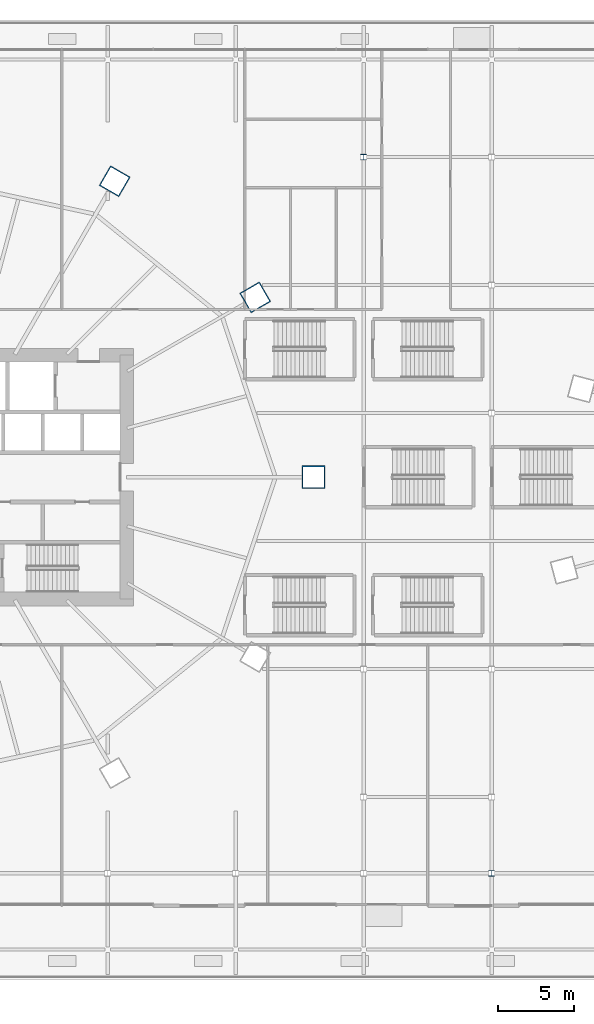
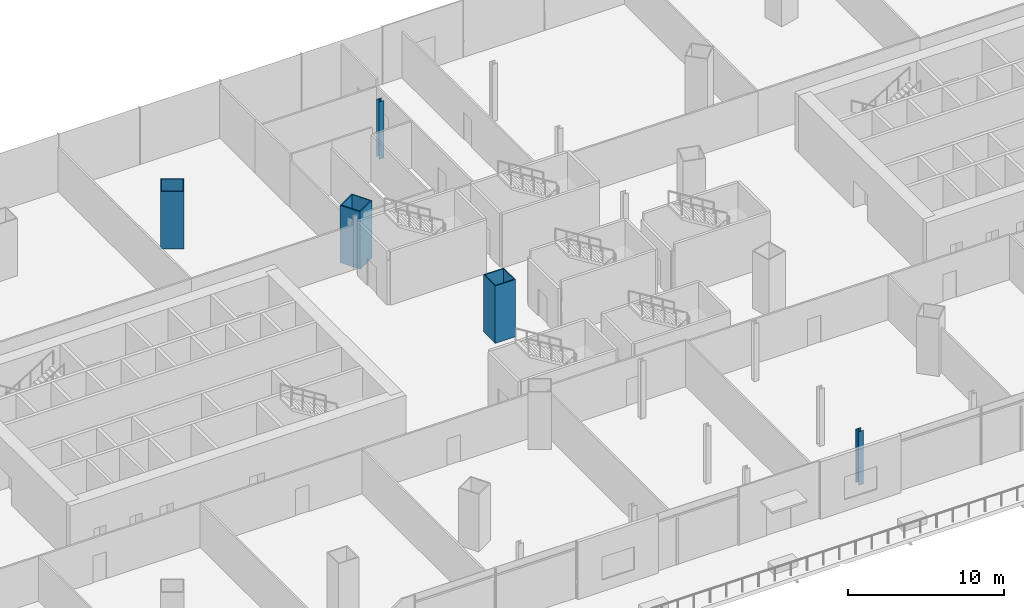
# One storey, part 4 of 52: 5 columns.
"""IFC4 building model written with IfcOpenShell, lengths in metres."""

from ifc_helpers import new_model, si_unit, direction, frame, origin, origin_2d, place, context, subcontext, project, spatial, hollow_rectangle, i_section, extrude, material, material_profile, profile_set, type_object, element, save


model = new_model("IFC4")

# Units and contexts
model_context = context("Model", 3, precision=1e-05, world=origin(), true_north=direction((0.0, 1.0)))
body_context = subcontext(model_context, "Body", "Model", "MODEL_VIEW")
ifc_project = project(units=[si_unit("LENGTHUNIT", "METRE"), si_unit("AREAUNIT", "SQUARE_METRE"), si_unit("VOLUMEUNIT", "CUBIC_METRE"), si_unit("PLANEANGLEUNIT", "RADIAN"), si_unit("MASSUNIT", "GRAM", prefix="KILO")], contexts=[model_context])

# Site, building, storey
site_placement = place(None, origin())
site = spatial("IfcSite", under=ifc_project, at=site_placement, CompositionType="ELEMENT")
building_placement = place(site_placement, origin())
building = spatial("IfcBuilding", under=site, at=building_placement, Name="Rimbun Link Towers", CompositionType="ELEMENT")
storey_placement = place(building_placement, frame((0.0, 0.0, 21.0)))
storey = spatial("IfcBuildingStorey", under=building, at=storey_placement, Name="L04", CompositionType="ELEMENT", Elevation=21.0)

# Columns
ifc_material_1 = material(Name="Steel S460N", Category="steel")
ifc_material_profile_1 = material_profile(ifc_material_1, hollow_rectangle(XDim=1.5, YDim=1.5, WallThickness=0.070068359375, at=origin_2d()), Name="BOX 1500x1500x70")
ifc_profile_set_1 = profile_set([ifc_material_profile_1], Name="Steel S460N")
column_type_1 = type_object("IfcColumnType", Name="BOX 1500x1500x70", PredefinedType="COLUMN", material=ifc_profile_set_1)
for number, where, z_axis, x_axis, name in (
    (1, (-7.4873046875, 0.0, 0.0), (0.0, 0.0, 1.0), (1.0, 0.0, 0.0), "Mega column T1 L04 00"),
    (2, (-11.316650390625, 11.797119140625, 0.0), (0.0, 0.0, 1.0), (0.866025403784, 0.5, 0.0), "Mega column T1 L04 02"),
    (3, (-20.538818359375, 19.418212890625, 0.0), (0.0, 0.0, 1.0), (0.5, 0.866025403784, 0.0), "Mega column T1 L04 04"),
):
    element("IfcColumn", number, at=place(storey_placement, frame(where, z_axis=z_axis, x_axis=x_axis)), inside=storey, type_object=column_type_1, Name=name, PredefinedType="COLUMN", context=body_context, shape_type="SweptSolid", body=[
        extrude(hollow_rectangle(XDim=1.5, YDim=1.5, WallThickness=0.070068359375, at=origin_2d()), origin(), (0.0, 0.0, 1.0), 4.5),
    ])
ifc_material_2 = material(Name="Steel S355J2", Category="steel")
ifc_material_profile_2 = material_profile(ifc_material_2, i_section(OverallWidth=0.37060546875, OverallDepth=0.362060546875, WebThickness=0.01220703125, FlangeThickness=0.020751953125, at=origin_2d()), Name="UC 356x368x153")
ifc_profile_set_2 = profile_set([ifc_material_profile_2], Name="Steel S355J2")
column_type_2 = type_object("IfcColumnType", Name="UC 356x368x153", PredefinedType="COLUMN", material=ifc_profile_set_2)
column_1_placement = place(storey_placement, frame((-4.199951171875, 21.0, 0.0), z_axis=(0.0, 0.0, 1.0), x_axis=(1.0, 0.0, 0.0)))
element("IfcColumn", 4, at=column_1_placement, inside=storey, type_object=column_type_2, Name="Column L04 -4.2 +21.0", PredefinedType="COLUMN", context=body_context, shape_type="SweptSolid", body=[
    extrude(i_section(OverallWidth=0.37060546875, OverallDepth=0.362060546875, WebThickness=0.01220703125, FlangeThickness=0.020751953125, at=origin_2d()), origin(), (0.0, 0.0, 1.0), 4.5),
])
column_2_placement = place(storey_placement, frame((4.199951171875, -26.0, 0.0), z_axis=(0.0, 0.0, 1.0), x_axis=(1.0, 0.0, 0.0)))
element("IfcColumn", 5, at=column_2_placement, inside=storey, type_object=column_type_2, Name="Column L04 +4.2 -26.0", PredefinedType="COLUMN", context=body_context, shape_type="SweptSolid", body=[
    extrude(i_section(OverallWidth=0.37060546875, OverallDepth=0.362060546875, WebThickness=0.01220703125, FlangeThickness=0.020751953125, at=origin_2d()), origin(), (0.0, 0.0, 1.0), 4.199951171875),
])

save(model, "model.ifc")
